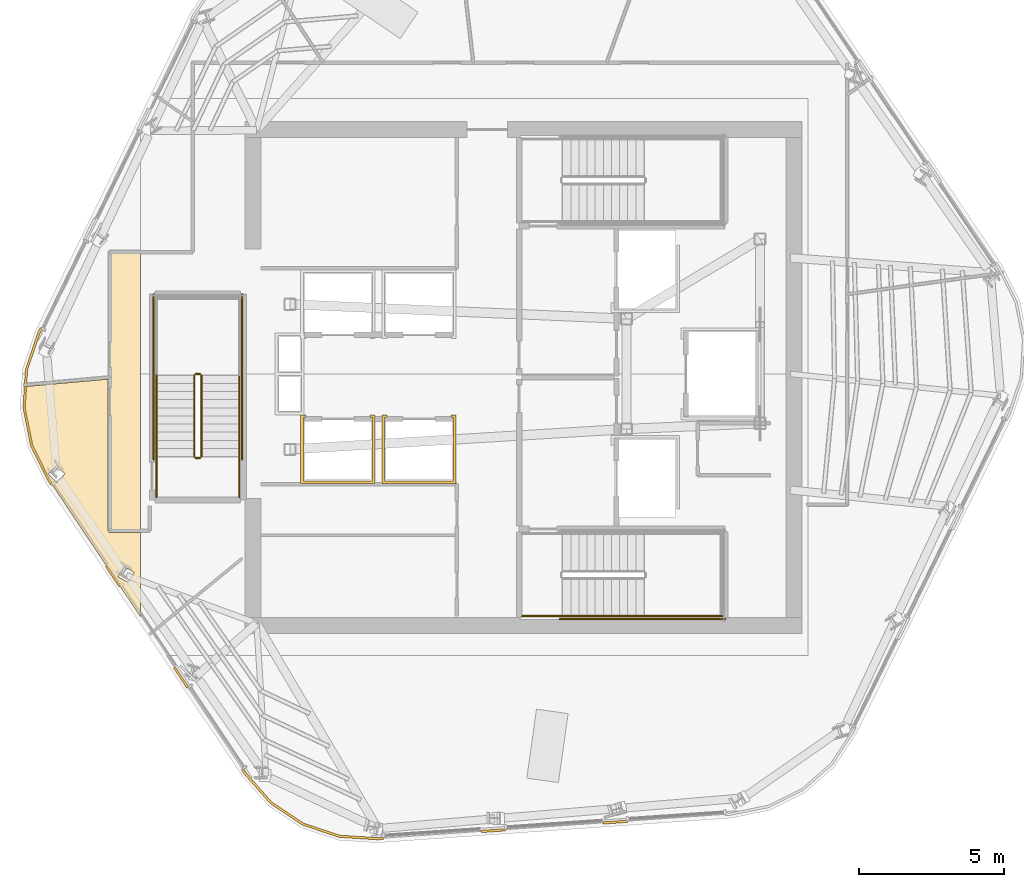
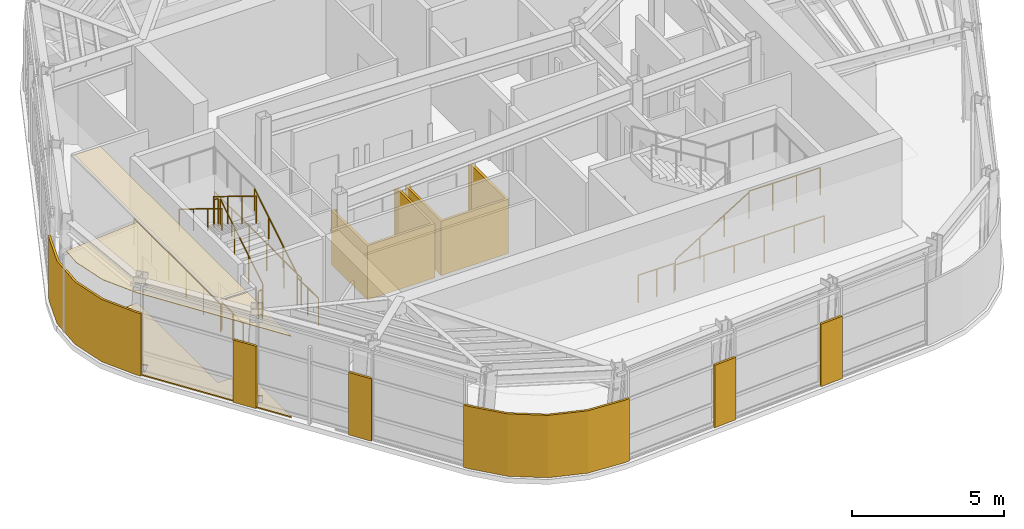
# One storey, part 8 of 14: 14 railings, 11 coverings.
"""IFC4 building model written with IfcOpenShell, lengths in metres."""

import ifcopenshell
import ifcopenshell.guid

model = None  # the IFC model being written
_history = None  # IfcOwnerHistory: only IFC2X3 demands one
_inside = {}  # id of a spatial element -> (the spatial element, [elements in it])
_under = {}  # id of a project, library or spatial element -> (it, [spatial elements below it])
_declared = {}  # id of a project -> (the project, [libraries it declares])
_typed = {}  # id of a type object -> (the type object, [elements of that type])
_made_of = {}  # id of a material, layer set ... -> (it, [elements and type objects made of it])


def new_model(schema):
    """Start an empty IFC model of exactly this schema.

    Asked for "IFC4X3", IfcOpenShell would pick the latest addendum, in which some entities
    have other attributes; the version numbers below select the first issue.
    IFC2X3 requires an IfcOwnerHistory on every rooted entity: one is made here for all.
    """
    global model, _history
    if schema == "IFC4X3":
        model = ifcopenshell.file(schema_version=(4, 3, 0, 0))
    else:
        model = ifcopenshell.file(schema=schema)
    _inside.clear()
    _under.clear()
    _declared.clear()
    _typed.clear()
    _made_of.clear()
    _history = None
    if model.schema == "IFC2X3":
        org = make("IfcOrganization", Name="unknown")
        user = make(
            "IfcPersonAndOrganization",
            ThePerson=make("IfcPerson", FamilyName="unknown"),
            TheOrganization=org,
        )
        app = make(
            "IfcApplication",
            ApplicationDeveloper=org,
            Version="unknown",
            ApplicationFullName="unknown",
            ApplicationIdentifier="unknown",
        )
        _history = make(
            "IfcOwnerHistory",
            OwningUser=user,
            OwningApplication=app,
            ChangeAction="ADDED",
            CreationDate=0,
        )
    return model


def make(cls, **values):
    """One entity of the class cls with the attributes given. An attribute that is None is left unset."""
    return model.create_entity(
        cls, **{name: value for name, value in values.items() if value is not None}
    )


def rooted(cls, **values):
    """An entity with a GlobalId (a new one), such as an element, a storey or a relation."""
    return make(cls, GlobalId=ifcopenshell.guid.new(), OwnerHistory=_history, **values)


def si_unit(unit_type, name, prefix=None):
    """IfcSIUnit, for example si_unit("LENGTHUNIT", "METRE", prefix="MILLI")."""
    return make("IfcSIUnit", UnitType=unit_type, Prefix=prefix, Name=name)


def assignment(units):
    """IfcUnitAssignment: the units of a project."""
    return None if units is None else make("IfcUnitAssignment", Units=units)


def point(xyz):
    """IfcCartesianPoint."""
    return None if xyz is None else make("IfcCartesianPoint", Coordinates=xyz)


def direction(xyz):
    """IfcDirection."""
    return None if xyz is None else make("IfcDirection", DirectionRatios=xyz)


def frame(location, z_axis=None, x_axis=None):
    """IfcAxis2Placement3D, a coordinate frame: its origin and axes. An axis left out is left unset."""
    return make(
        "IfcAxis2Placement3D",
        Location=point(location),
        Axis=direction(z_axis),
        RefDirection=direction(x_axis),
    )


def frame_2d(location, x_axis=None):
    """IfcAxis2Placement2D, a coordinate frame in the plane: its origin and x axis."""
    return make(
        "IfcAxis2Placement2D", Location=point(location), RefDirection=direction(x_axis)
    )


def origin():
    """The frame at (0, 0, 0) with its axes left unset."""
    return frame((0.0, 0.0, 0.0))


def origin_2d():
    """The frame at (0, 0) in the plane with its x axis left unset."""
    return frame_2d((0.0, 0.0))


def place(relative_to, where):
    """IfcLocalPlacement: puts the frame where relative to a parent placement (None: the world)."""
    return make(
        "IfcLocalPlacement", PlacementRelTo=relative_to, RelativePlacement=where
    )


def context(
    kind, dimensions, precision=None, world=None, true_north=None, identifier=None
):
    """IfcGeometricRepresentationContext, for example the 3D "Model" context."""
    return make(
        "IfcGeometricRepresentationContext",
        ContextIdentifier=identifier,
        ContextType=kind,
        CoordinateSpaceDimension=dimensions,
        Precision=precision,
        WorldCoordinateSystem=world,
        TrueNorth=true_north,
    )


def subcontext(parent, identifier, kind, view, scale=None):
    """IfcGeometricRepresentationSubContext, for example "Body" below "Model"."""
    return make(
        "IfcGeometricRepresentationSubContext",
        ContextIdentifier=identifier,
        ContextType=kind,
        ParentContext=parent,
        TargetScale=scale,
        TargetView=view,
    )


def project(units=None, contexts=None):
    """IfcProject with its units and contexts."""
    return rooted(
        "IfcProject",
        Name="project",
        RepresentationContexts=contexts,
        UnitsInContext=assignment(units),
    )


def spatial(cls, under=None, at=None, **own):
    """A site, building, storey or space (cls), placed at a placement, below another one or the project."""
    s = rooted(cls, ObjectPlacement=at, **own)
    if under is not None:
        _under.setdefault(under.id(), (under, []))[1].append(s)
    return s


def polyline(points):
    """IfcPolyline through the points."""
    return make("IfcPolyline", Points=[point(p) for p in points])


def profile(cls, at=None, kind="AREA", **sizes):
    """A parametric profile (cls). Its sizes go by their IFC names, for example OverallWidth=200.0."""
    return make(cls, ProfileType=kind, Position=at, **sizes)


def circle(**sizes):
    """IfcCircleProfileDef."""
    return profile("IfcCircleProfileDef", **sizes)


def outline(outer, holes=None, kind="AREA"):
    """IfcArbitraryClosedProfileDef: a profile drawn as a closed curve; with holes, ...WithVoids."""
    if holes is None:
        return make("IfcArbitraryClosedProfileDef", ProfileType=kind, OuterCurve=outer)
    return make(
        "IfcArbitraryProfileDefWithVoids",
        ProfileType=kind,
        OuterCurve=outer,
        InnerCurves=holes,
    )


def extrude(swept, where, along, depth):
    """IfcExtrudedAreaSolid: the profile swept, set in the frame where, extruded along a direction by depth."""
    return make(
        "IfcExtrudedAreaSolid",
        SweptArea=swept,
        Position=where,
        ExtrudedDirection=direction(along),
        Depth=depth,
    )


def shape(context_of_items, identifier, shape_type, items):
    """IfcShapeRepresentation: the items that make up one representation, for example the "Body"."""
    return make(
        "IfcShapeRepresentation",
        ContextOfItems=context_of_items,
        RepresentationIdentifier=identifier,
        RepresentationType=shape_type,
        Items=items,
    )


def material(Name=None, Category=None):
    """IfcMaterial."""
    return make("IfcMaterial", Name=Name, Category=Category)


def layer(
    of_material, thickness, ventilated=None, Name=None, Category=None, Priority=None
):
    """IfcMaterialLayer: one layer of a wall or slab, of a material (None: an air gap)."""
    return make(
        "IfcMaterialLayer",
        Material=of_material,
        LayerThickness=thickness,
        IsVentilated=ventilated,
        Name=Name,
        Category=Category,
        Priority=Priority,
    )


def layer_set(layers, Name=None):
    """IfcMaterialLayerSet."""
    return make("IfcMaterialLayerSet", MaterialLayers=layers, LayerSetName=Name)


def made_of(thing, what):
    """Note that an element or type object is made of a material, layer set ...; save() writes the relation."""
    if what is not None:
        _made_of.setdefault(what.id(), (what, []))[1].append(thing)
    return thing


def type_object(cls, material=None, **own):
    """A type object (cls), such as IfcWallType, which elements share."""
    return made_of(rooted(cls, **own), material)


def element(
    cls,
    number,
    at=None,
    inside=None,
    cuts=None,
    type_object=None,
    material=None,
    context=None,
    identifier="Body",
    shape_type=None,
    held_by="IfcProductDefinitionShape",
    body=None,
    shapes=None,
    **own,
):
    """One element of the class cls, such as IfcWall. Its Tag is "e" and its number.

    at: its placement. inside: the storey or other place that contains it. cuts: it is an
    opening in that element (IfcRelVoidsElement). A single representation is given by context,
    identifier, shape_type and body (its items); several are given by shapes. held_by: the class
    of the entity that holds the representations. save() writes the other relations.
    """
    e = rooted(cls, Tag="e%d" % number, ObjectPlacement=at, **own)
    if body is not None:
        shapes = [shape(context, identifier, shape_type, body)]
    if shapes is not None:
        e.Representation = make(held_by, Representations=shapes)
    if inside is not None:
        _inside.setdefault(inside.id(), (inside, []))[1].append(e)
    if cuts is not None:
        rooted(
            "IfcRelVoidsElement", RelatingBuildingElement=cuts, RelatedOpeningElement=e
        )
    if type_object is not None:
        _typed.setdefault(type_object.id(), (type_object, []))[1].append(e)
    return made_of(e, material)


def aggregate(whole, parts):
    """IfcRelAggregates: a whole, such as a stair, and the parts it consists of."""
    return rooted("IfcRelAggregates", RelatingObject=whole, RelatedObjects=parts)


def save(model, path):
    """Write the relations noted so far, then the file.

    IfcRelAggregates (storeys below a building ...), IfcRelContainedInSpatialStructure (elements
    in a storey), IfcRelDefinesByType, IfcRelAssociatesMaterial and IfcRelDeclares: one each for
    every whole, place, type object, material and project.
    """
    for whole, parts in _under.values():
        aggregate(whole, parts)
    for where, things in _inside.values():
        rooted(
            "IfcRelContainedInSpatialStructure",
            RelatedElements=things,
            RelatingStructure=where,
        )
    for kind, things in _typed.values():
        rooted("IfcRelDefinesByType", RelatedObjects=things, RelatingType=kind)
    for what, things in _made_of.values():
        rooted("IfcRelAssociatesMaterial", RelatedObjects=things, RelatingMaterial=what)
    for by, libraries in _declared.values():
        rooted("IfcRelDeclares", RelatingContext=by, RelatedDefinitions=libraries)
    model.write(path)


model = new_model("IFC4")

# Units and contexts
model_context = context("Model", 3, precision=1e-05, world=origin(), true_north=direction((0.0, 1.0)))
body_context = subcontext(model_context, "Body", "Model", "MODEL_VIEW")
ifc_project = project(units=[si_unit("LENGTHUNIT", "METRE"), si_unit("AREAUNIT", "SQUARE_METRE"), si_unit("VOLUMEUNIT", "CUBIC_METRE"), si_unit("PLANEANGLEUNIT", "RADIAN"), si_unit("MASSUNIT", "GRAM", prefix="KILO")], contexts=[model_context])

# Site, building, storey
site_placement = place(None, origin())
site = spatial("IfcSite", under=ifc_project, at=site_placement, CompositionType="ELEMENT")
building_placement = place(site_placement, origin())
building = spatial("IfcBuilding", under=site, at=building_placement, Name="Valkerne Bourse Tower", CompositionType="ELEMENT")
storey_placement = place(building_placement, frame((0.0, 0.0, 300.199951171875)))
storey = spatial("IfcBuildingStorey", under=building, at=storey_placement, Name="L76", CompositionType="ELEMENT", Elevation=300.199951171875)

# Coverings
ifc_material_1 = material(Name="Mineral Fiber Acoustic Ceiling Tile", Category="acoustic")
ifc_layer_1 = layer(ifc_material_1, 0.02490234375)
ifc_layer_set_1 = layer_set([ifc_layer_1], Name="Mineral Fiber Acoustic Ceiling Tile")
covering_type_1 = type_object("IfcCoveringType", Name="COV-CEIL-ACT", PredefinedType="CEILING", material=ifc_layer_set_1)
covering_1_placement = place(storey_placement, frame((0.0, 0.0, 3.25)))
element("IfcCovering", 1, at=covering_1_placement, inside=storey, type_object=covering_type_1, Name="L76 Suspended Ceiling 05", PredefinedType="CEILING", context=body_context, shape_type="SweptSolid", body=[
    extrude(outline(polyline([(29.589599609375, 25.82666015625), (29.635986328125, 26.5654296875), (32.48095703125, 26.81884765625), (32.48095703125, 21.599365234375), (32.49462890625, 21.55859375), (32.52001953125, 21.537841796875), (32.549560546875, 21.531005859375), (33.60009765625, 21.531005859375), (33.60009765625, 18.62548828125), (30.44140625, 23.342529296875), (29.850341796875, 24.533203125), (29.589599609375, 25.82666015625)]), holes=[polyline([(33.380615234375, 20.162109375), (33.025146484375, 20.36376953125), (32.82373046875, 20.0107421875), (32.82470703125, 20.0087890625), (33.18017578125, 19.806884765625), (33.381591796875, 20.159912109375), (33.380615234375, 20.162109375)]), polyline([(30.99462890625, 23.552978515625), (30.701904296875, 23.83837890625), (30.417724609375, 23.5478515625), (30.418212890625, 23.54541015625), (30.7109375, 23.26025390625), (30.9951171875, 23.55078125), (30.99462890625, 23.552978515625)])]), origin(), (0.0, 0.0, 1.0), 0.025146484375),
])
ifc_material_2 = material(Name="Bronze Anodised Aluminium AA 6063-T6", Category="aluminium")
ifc_layer_2 = layer(ifc_material_2, 0.030029296875)
ifc_layer_set_2 = layer_set([ifc_layer_2], Name="Bronze Anodised Aluminium AA 6063-T6")
covering_type_2 = type_object("IfcCoveringType", Name="COV-CEIL-METAL", PredefinedType="CEILING", material=ifc_layer_set_2)
covering_2_placement = place(storey_placement, frame((0.0, 0.0, 3.25)))
element("IfcCovering", 2, at=covering_2_placement, inside=storey, type_object=covering_type_2, Name="L76 Suspended Ceiling 02", PredefinedType="CEILING", context=body_context, shape_type="SweptSolid", body=[
    extrude(outline(polyline([(32.553955078125, 21.60400390625), (32.553955078125, 31.196044921875), (33.60009765625, 31.196044921875), (33.60009765625, 21.60400390625), (32.553955078125, 21.60400390625)])), origin(), (0.0, 0.0, 1.0), 0.025146484375),
])
ifc_layer_3 = layer(ifc_material_2, 0.06005859375)
ifc_layer_set_3 = layer_set([ifc_layer_3], Name="Bronze Anodised Aluminium AA 6063-T6")
covering_type_3 = type_object("IfcCoveringType", Name="COV-CRN-ALUM", PredefinedType="CLADDING", material=ifc_layer_set_3)
covering_3_placement = place(storey_placement, origin())
element("IfcCovering", 3, at=covering_3_placement, inside=storey, type_object=covering_type_3, Name="L76 Wind-Shaped Corner Aluminium Cladding 05", PredefinedType="CLADDING", context=body_context, shape_type="SweptSolid", body=[
    extrude(outline(polyline([(49.5478515625, 11.48193359375), (49.54248046875, 11.561767578125), (50.38037109375, 11.620361328125), (50.385986328125, 11.54052734375), (49.5478515625, 11.48193359375)])), origin(), (0.0, 0.0, 1.0), 2.5),
])
covering_4_placement = place(storey_placement, origin())
element("IfcCovering", 4, at=covering_4_placement, inside=storey, type_object=covering_type_3, Name="L76 Wind-Shaped Corner Aluminium Cladding 06", PredefinedType="CLADDING", context=body_context, shape_type="SweptSolid", body=[
    extrude(outline(polyline([(45.345947265625, 11.188720703125), (45.340576171875, 11.268310546875), (46.1787109375, 11.326904296875), (46.18408203125, 11.2470703125), (45.345947265625, 11.188720703125)])), origin(), (0.0, 0.0, 1.0), 2.5),
])
covering_5_placement = place(storey_placement, origin())
element("IfcCovering", 5, at=covering_5_placement, inside=storey, type_object=covering_type_3, Name="L76 Wind-Shaped Corner Aluminium Cladding 07", PredefinedType="CLADDING", context=body_context, shape_type="SweptSolid", body=[
    extrude(outline(polyline([(41.77783203125, 10.939453125), (40.442626953125, 11.0234375), (39.18115234375, 11.447998046875), (38.072509765625, 12.1845703125), (37.187744140625, 13.18798828125), (37.07373046875, 13.3583984375), (37.14013671875, 13.403076171875), (37.251220703125, 13.237060546875), (38.12548828125, 12.245361328125), (39.216796875, 11.5205078125), (40.458251953125, 11.1025390625), (41.777587890625, 11.01953125), (41.976806640625, 11.033447265625), (41.982421875, 10.95361328125), (41.77783203125, 10.939453125)])), origin(), (0.0, 0.0, 1.0), 2.5),
])
covering_6_placement = place(storey_placement, origin())
element("IfcCovering", 6, at=covering_6_placement, inside=storey, type_object=covering_type_3, Name="L76 Wind-Shaped Corner Aluminium Cladding 08", PredefinedType="CLADDING", context=body_context, shape_type="SweptSolid", body=[
    extrude(outline(polyline([(34.730224609375, 16.8583984375), (34.796630859375, 16.90283203125), (35.263916015625, 16.204833984375), (35.197509765625, 16.160400390625), (34.730224609375, 16.8583984375)])), origin(), (0.0, 0.0, 1.0), 2.5),
])
covering_7_placement = place(storey_placement, origin())
element("IfcCovering", 7, at=covering_7_placement, inside=storey, type_object=covering_type_3, Name="L76 Wind-Shaped Corner Aluminium Cladding 09", PredefinedType="CLADDING", context=body_context, shape_type="SweptSolid", body=[
    extrude(outline(polyline([(32.38671875, 20.358154296875), (32.453125, 20.40283203125), (32.920654296875, 19.704833984375), (32.854248046875, 19.66015625), (32.38671875, 20.358154296875)])), origin(), (0.0, 0.0, 1.0), 2.5),
])
covering_8_placement = place(storey_placement, origin())
element("IfcCovering", 8, at=covering_8_placement, inside=storey, type_object=covering_type_3, Name="L76 Wind-Shaped Corner Aluminium Cladding 10", PredefinedType="CLADDING", context=body_context, shape_type="SweptSolid", body=[
    extrude(outline(polyline([(30.4033203125, 23.320556640625), (29.808349609375, 24.518798828125), (29.54541015625, 25.82373046875), (29.62890625, 27.152099609375), (30.0556640625, 28.420166015625), (30.140380859375, 28.59375), (30.212158203125, 28.55859375), (30.1298828125, 28.389892578125), (29.708251953125, 27.13671875), (29.625732421875, 25.8291015625), (29.884765625, 24.544921875), (30.47265625, 23.360595703125), (30.5771484375, 23.20458984375), (30.5107421875, 23.16015625), (30.4033203125, 23.320556640625)])), origin(), (0.0, 0.0, 1.0), 2.5),
])
ifc_material_3 = material(Name="Galvanised Painted Steel", Category="steel")
ifc_layer_4 = layer(ifc_material_3, 0.044921875)
ifc_layer_set_4 = layer_set([ifc_layer_4], Name="Galvanised Painted Steel")
covering_type_4 = type_object("IfcCoveringType", Name="COV-FLR-RAF", PredefinedType="FLOORING", material=ifc_layer_set_4)
covering_9_placement = place(storey_placement, origin())
element("IfcCovering", 9, at=covering_9_placement, inside=storey, type_object=covering_type_4, Name="L76 Floor Finish 05", PredefinedType="FLOORING", context=body_context, shape_type="SweptSolid", body=[
    extrude(outline(polyline([(29.589599609375, 25.82666015625), (29.635986328125, 26.5654296875), (32.48095703125, 26.81884765625), (32.48095703125, 21.599365234375), (32.49462890625, 21.55859375), (32.52001953125, 21.537841796875), (32.549560546875, 21.531005859375), (33.60009765625, 21.531005859375), (33.60009765625, 18.62548828125), (30.44140625, 23.342529296875), (29.850341796875, 24.533203125), (29.589599609375, 25.82666015625)]), holes=[polyline([(33.380615234375, 20.162109375), (33.025146484375, 20.36376953125), (32.82373046875, 20.0107421875), (32.82470703125, 20.0087890625), (33.18017578125, 19.806884765625), (33.381591796875, 20.159912109375), (33.380615234375, 20.162109375)]), polyline([(30.99462890625, 23.552978515625), (30.701904296875, 23.83837890625), (30.417724609375, 23.5478515625), (30.418212890625, 23.54541015625), (30.7109375, 23.26025390625), (30.9951171875, 23.55078125), (30.99462890625, 23.552978515625)])]), origin(), (0.0, 0.0, 1.0), 0.045166015625),
])
ifc_material_4 = material(Name="Gypsum Shaftwall Liner Board", Category="gypsum")
ifc_layer_5 = layer(ifc_material_4, 0.080078125)
ifc_layer_set_5 = layer_set([ifc_layer_5], Name="Gypsum Shaftwall Liner Board")
covering_type_5 = type_object("IfcCoveringType", Name="COV-SHF-CLAD", PredefinedType="CLADDING", material=ifc_layer_set_5)
covering_10_placement = place(storey_placement, origin())
element("IfcCovering", 10, at=covering_10_placement, inside=storey, type_object=covering_type_5, Name="L76 Hoistway & Riser Shaftwall Liner 02", PredefinedType="CLADDING", context=body_context, shape_type="SweptSolid", body=[
    extrude(outline(polyline([(39.29931640625, 25.580078125), (39.28857421875, 25.537841796875), (39.2822265625, 25.494140625), (39.281982421875, 25.489990234375), (39.2099609375, 25.489990234375), (39.2099609375, 23.31005859375), (41.590087890625, 23.31005859375), (41.590087890625, 25.489990234375), (41.51806640625, 25.489990234375), (41.517822265625, 25.494140625), (41.511474609375, 25.537841796875), (41.500732421875, 25.580078125), (41.679931640625, 25.580078125), (41.679931640625, 23.219970703125), (39.1201171875, 23.219970703125), (39.1201171875, 25.580078125), (39.29931640625, 25.580078125)])), origin(), (0.0, 0.0, 1.0), 2.179931640625),
])
covering_11_placement = place(storey_placement, origin())
element("IfcCovering", 11, at=covering_11_placement, inside=storey, type_object=covering_type_5, Name="L76 Hoistway & Riser Shaftwall Liner 03", PredefinedType="CLADDING", context=body_context, shape_type="SweptSolid", body=[
    extrude(outline(polyline([(42.09912109375, 25.580078125), (42.088623046875, 25.537841796875), (42.082275390625, 25.494140625), (42.08203125, 25.489990234375), (42.010009765625, 25.489990234375), (42.010009765625, 23.31005859375), (44.389892578125, 23.31005859375), (44.389892578125, 25.489990234375), (44.318115234375, 25.489990234375), (44.31787109375, 25.494140625), (44.311279296875, 25.537841796875), (44.30078125, 25.580078125), (44.47998046875, 25.580078125), (44.47998046875, 23.219970703125), (41.919921875, 23.219970703125), (41.919921875, 25.580078125), (42.09912109375, 25.580078125)])), origin(), (0.0, 0.0, 1.0), 2.179931640625),
])

# Railings
railing_type_1 = type_object("IfcRailingType", Name="RLG-ST-GUARD-1120", PredefinedType="GUARDRAIL", material=ifc_material_3)
railing_1_placement = place(storey_placement, frame((50.949951171875, 18.64990234375, 1.900146484375)))
element("IfcRailing", 12, at=railing_1_placement, inside=storey, type_object=railing_type_1, Name="L76 ST-1 stair guard 3", PredefinedType="GUARDRAIL", context=body_context, shape_type="SweptSolid", body=[
    extrude(circle(Radius=0.02392578125, at=origin_2d()), frame((0.0, 0.0, 1.09619140625), z_axis=(1.0, 0.0, 0.0), x_axis=(0.0, 1.0, 0.0)), (0.0, 0.0, 1.0), 2.699951171875),
    extrude(circle(Radius=0.02099609375, at=origin_2d()), origin(), (0.0, 0.0, 1.0), 1.072021484375),
    extrude(circle(Radius=0.02099609375, at=origin_2d()), frame((0.89990234375, 0.0, 0.0)), (0.0, 0.0, 1.0), 1.072021484375),
    extrude(circle(Radius=0.02099609375, at=origin_2d()), frame((1.800048828125, 0.0, 0.0)), (0.0, 0.0, 1.0), 1.072021484375),
    extrude(circle(Radius=0.02099609375, at=origin_2d()), frame((2.699951171875, 0.0, 0.0)), (0.0, 0.0, 1.0), 1.072021484375),
])
railing_2_placement = place(storey_placement, frame((46.75, 18.64990234375, 0.0)))
element("IfcRailing", 13, at=railing_2_placement, inside=storey, type_object=railing_type_1, Name="L76 ST-1 stair guard 8", PredefinedType="GUARDRAIL", context=body_context, shape_type="SweptSolid", body=[
    extrude(circle(Radius=0.02392578125, at=origin_2d()), frame((0.0, 0.0, 1.09619140625), z_axis=(1.0, 0.0, 0.0), x_axis=(0.0, 1.0, 0.0)), (0.0, 0.0, 1.0), 1.39990234375),
    extrude(circle(Radius=0.02099609375, at=origin_2d()), origin(), (0.0, 0.0, 1.0), 1.072021484375),
    extrude(circle(Radius=0.02099609375, at=origin_2d()), frame((0.699951171875, 0.0, 0.0)), (0.0, 0.0, 1.0), 1.072021484375),
    extrude(circle(Radius=0.02099609375, at=origin_2d()), frame((1.39990234375, 0.0, 0.0)), (0.0, 0.0, 1.0), 1.072021484375),
])
railing_3_placement = place(storey_placement, frame((48.050048828125, 18.550048828125, 0.0)))
element("IfcRailing", 14, at=railing_3_placement, inside=storey, type_object=railing_type_1, Name="L76 ST-1 stair guard 10", PredefinedType="GUARDRAIL", context=body_context, shape_type="SweptSolid", body=[
    extrude(circle(Radius=0.02392578125, at=origin_2d()), frame((0.0, 0.0, 1.09619140625), z_axis=(1.0, 0.0, 0.0), x_axis=(0.0, 1.0, 0.0)), (0.0, 0.0, 1.0), 5.699951171875),
    extrude(circle(Radius=0.02099609375, at=origin_2d()), origin(), (0.0, 0.0, 1.0), 1.072021484375),
    extrude(circle(Radius=0.02099609375, at=origin_2d()), frame((1.139892578125, 0.0, 0.0)), (0.0, 0.0, 1.0), 1.072021484375),
    extrude(circle(Radius=0.02099609375, at=origin_2d()), frame((2.280029296875, 0.0, 0.0)), (0.0, 0.0, 1.0), 1.072021484375),
    extrude(circle(Radius=0.02099609375, at=origin_2d()), frame((3.419921875, 0.0, 0.0)), (0.0, 0.0, 1.0), 1.072021484375),
    extrude(circle(Radius=0.02099609375, at=origin_2d()), frame((4.56005859375, 0.0, 0.0)), (0.0, 0.0, 1.0), 1.072021484375),
    extrude(circle(Radius=0.02099609375, at=origin_2d()), frame((5.699951171875, 0.0, 0.0)), (0.0, 0.0, 1.0), 1.072021484375),
])
railing_4_placement = place(storey_placement, frame((35.699951171875, 24.14990234375, 0.1728515625)))
element("IfcRailing", 15, at=railing_4_placement, inside=storey, type_object=railing_type_1, Name="L76 ST-3 stair guard 1", PredefinedType="GUARDRAIL", context=body_context, shape_type="SweptSolid", body=[
    extrude(circle(Radius=0.02392578125, at=origin_2d()), frame((0.0, 0.0, 1.09619140625), z_axis=(0.0, 0.851089632645, 0.525020415988), x_axis=(-1.0, 0.0, 0.0)), (0.0, 0.0, 1.0), 3.2900390625),
    extrude(circle(Radius=0.02099609375, at=origin_2d()), origin(), (0.0, 0.0, 1.0), 1.072021484375),
    extrude(circle(Radius=0.02099609375, at=origin_2d()), frame((0.0, 0.933349609375, 0.57568359375)), (0.0, 0.0, 1.0), 1.072021484375),
    extrude(circle(Radius=0.02099609375, at=origin_2d()), frame((0.0, 1.86669921875, 1.151611328125)), (0.0, 0.0, 1.0), 1.072021484375),
    extrude(circle(Radius=0.02099609375, at=origin_2d()), frame((0.0, 2.800048828125, 1.727294921875)), (0.0, 0.0, 1.0), 1.072021484375),
])
railing_5_placement = place(storey_placement, frame((35.64990234375, 27.0, 1.900146484375)))
element("IfcRailing", 16, at=railing_5_placement, inside=storey, type_object=railing_type_1, Name="L76 ST-3 stair guard 2", PredefinedType="GUARDRAIL", context=body_context, shape_type="SweptSolid", body=[
    extrude(circle(Radius=0.02392578125, at=origin_2d()), frame((0.0, 0.0, 1.09619140625), z_axis=(-1.0, 0.0, 0.0), x_axis=(0.0, -1.0, 0.0)), (0.0, 0.0, 1.0), 0.14990234375),
    extrude(circle(Radius=0.02099609375, at=origin_2d()), origin(), (0.0, 0.0, 1.0), 1.072021484375),
    extrude(circle(Radius=0.02099609375, at=origin_2d()), frame((-0.14990234375, 0.0, 0.0)), (0.0, 0.0, 1.0), 1.072021484375),
])
railing_6_placement = place(storey_placement, frame((35.449951171875, 26.949951171875, 2.07275390625)))
element("IfcRailing", 17, at=railing_6_placement, inside=storey, type_object=railing_type_1, Name="L76 ST-3 stair guard 6", PredefinedType="GUARDRAIL", context=body_context, shape_type="SweptSolid", body=[
    extrude(circle(Radius=0.02392578125, at=origin_2d()), frame((0.0, 0.0, 1.09619140625), z_axis=(0.0, -0.851089632645, 0.525020415988), x_axis=(1.0, 0.0, 0.0)), (0.0, 0.0, 1.0), 3.2900390625),
    extrude(circle(Radius=0.02099609375, at=origin_2d()), origin(), (0.0, 0.0, 1.0), 1.072021484375),
    extrude(circle(Radius=0.02099609375, at=origin_2d()), frame((0.0, -0.933349609375, 0.57568359375)), (0.0, 0.0, 1.0), 1.072021484375),
    extrude(circle(Radius=0.02099609375, at=origin_2d()), frame((0.0, -1.86669921875, 1.151611328125)), (0.0, 0.0, 1.0), 1.072021484375),
    extrude(circle(Radius=0.02099609375, at=origin_2d()), frame((0.0, -2.800048828125, 1.727294921875)), (0.0, 0.0, 1.0), 1.072021484375),
])
railing_7_placement = place(storey_placement, frame((35.64990234375, 24.10009765625, 0.0)))
element("IfcRailing", 18, at=railing_7_placement, inside=storey, type_object=railing_type_1, Name="L76 ST-3 stair guard 7", PredefinedType="GUARDRAIL", context=body_context, shape_type="SweptSolid", body=[
    extrude(circle(Radius=0.02392578125, at=origin_2d()), frame((0.0, 0.0, 1.09619140625), z_axis=(-1.0, 0.0, 0.0), x_axis=(0.0, -1.0, 0.0)), (0.0, 0.0, 1.0), 0.14990234375),
    extrude(circle(Radius=0.02099609375, at=origin_2d()), origin(), (0.0, 0.0, 1.0), 1.072021484375),
    extrude(circle(Radius=0.02099609375, at=origin_2d()), frame((-0.14990234375, 0.0, 0.0)), (0.0, 0.0, 1.0), 1.072021484375),
])
for number, where, name in (
    (19, (37.0, 22.75, 0.0), "L76 ST-3 stair guard 8"),
    (20, (34.14990234375, 22.75, 0.0), "L76 ST-3 stair guard 9"),
):
    element("IfcRailing", number, at=place(storey_placement, frame(where)), inside=storey, type_object=railing_type_1, Name=name, PredefinedType="GUARDRAIL", context=body_context, shape_type="SweptSolid", body=[
        extrude(circle(Radius=0.02392578125, at=origin_2d()), frame((0.0, 0.0, 1.09619140625), z_axis=(0.0, 1.0, 0.0), x_axis=(-1.0, 0.0, 0.0)), (0.0, 0.0, 1.0), 1.39990234375),
        extrude(circle(Radius=0.02099609375, at=origin_2d()), origin(), (0.0, 0.0, 1.0), 1.072021484375),
        extrude(circle(Radius=0.02099609375, at=origin_2d()), frame((0.0, 0.699951171875, 0.0)), (0.0, 0.0, 1.0), 1.072021484375),
        extrude(circle(Radius=0.02099609375, at=origin_2d()), frame((0.0, 1.39990234375, 0.0)), (0.0, 0.0, 1.0), 1.072021484375),
    ])
for number, where, name in (
    (21, (37.10009765625, 24.050048828125, 0.0), "L76 ST-3 stair guard 10"),
    (22, (34.050048828125, 24.050048828125, 0.0), "L76 ST-3 stair guard 11"),
):
    element("IfcRailing", number, at=place(storey_placement, frame(where)), inside=storey, type_object=railing_type_1, Name=name, PredefinedType="GUARDRAIL", context=body_context, shape_type="SweptSolid", body=[
        extrude(circle(Radius=0.02392578125, at=origin_2d()), frame((0.0, 0.0, 1.09619140625), z_axis=(0.0, 1.0, 0.0), x_axis=(-1.0, 0.0, 0.0)), (0.0, 0.0, 1.0), 5.699951171875),
        extrude(circle(Radius=0.02099609375, at=origin_2d()), origin(), (0.0, 0.0, 1.0), 1.072021484375),
        extrude(circle(Radius=0.02099609375, at=origin_2d()), frame((0.0, 1.139892578125, 0.0)), (0.0, 0.0, 1.0), 1.072021484375),
        extrude(circle(Radius=0.02099609375, at=origin_2d()), frame((0.0, 2.280029296875, 0.0)), (0.0, 0.0, 1.0), 1.072021484375),
        extrude(circle(Radius=0.02099609375, at=origin_2d()), frame((0.0, 3.419921875, 0.0)), (0.0, 0.0, 1.0), 1.072021484375),
        extrude(circle(Radius=0.02099609375, at=origin_2d()), frame((0.0, 4.56005859375, 0.0)), (0.0, 0.0, 1.0), 1.072021484375),
        extrude(circle(Radius=0.02099609375, at=origin_2d()), frame((0.0, 5.699951171875, 0.0)), (0.0, 0.0, 1.0), 1.072021484375),
    ])
ifc_material_5 = material(Name="Stainless Steel AISI 316", Category="steel")
railing_type_2 = type_object("IfcRailingType", Name="RLG-ST-HANDRAIL-900", PredefinedType="HANDRAIL", material=ifc_material_5)
railing_8_placement = place(storey_placement, frame((48.14990234375, 18.64990234375, 0.345458984375)))
element("IfcRailing", 23, at=railing_8_placement, inside=storey, type_object=railing_type_2, Name="L76 ST-1 stair handrail 1", PredefinedType="HANDRAIL", context=body_context, shape_type="SweptSolid", body=[
    extrude(circle(Radius=0.02392578125, at=origin_2d()), frame((0.0, 0.0, 0.8759765625), z_axis=(0.851089632645, 0.0, 0.525020415988), x_axis=(0.0, 1.0, 0.0)), (0.0, 0.0, 1.0), 3.2900390625),
    extrude(circle(Radius=0.02099609375, at=origin_2d()), origin(), (0.0, 0.0, 1.0), 0.851806640625),
    extrude(circle(Radius=0.02099609375, at=origin_2d()), frame((0.933349609375, 0.0, 0.57568359375)), (0.0, 0.0, 1.0), 0.851806640625),
    extrude(circle(Radius=0.02099609375, at=origin_2d()), frame((1.86669921875, 0.0, 1.151611328125)), (0.0, 0.0, 1.0), 0.851806640625),
    extrude(circle(Radius=0.02099609375, at=origin_2d()), frame((2.800048828125, 0.0, 1.727294921875)), (0.0, 0.0, 1.0), 0.851806640625),
])
railing_9_placement = place(storey_placement, frame((37.0, 24.14990234375, 0.345458984375)))
element("IfcRailing", 24, at=railing_9_placement, inside=storey, type_object=railing_type_2, Name="L76 ST-3 stair handrail 1", PredefinedType="HANDRAIL", context=body_context, shape_type="SweptSolid", body=[
    extrude(circle(Radius=0.02392578125, at=origin_2d()), frame((0.0, 0.0, 0.8759765625), z_axis=(0.0, 0.851089632645, 0.525020415988), x_axis=(-1.0, 0.0, 0.0)), (0.0, 0.0, 1.0), 3.2900390625),
    extrude(circle(Radius=0.02099609375, at=origin_2d()), origin(), (0.0, 0.0, 1.0), 0.851806640625),
    extrude(circle(Radius=0.02099609375, at=origin_2d()), frame((0.0, 0.933349609375, 0.57568359375)), (0.0, 0.0, 1.0), 0.851806640625),
    extrude(circle(Radius=0.02099609375, at=origin_2d()), frame((0.0, 1.86669921875, 1.151611328125)), (0.0, 0.0, 1.0), 0.851806640625),
    extrude(circle(Radius=0.02099609375, at=origin_2d()), frame((0.0, 2.800048828125, 1.727294921875)), (0.0, 0.0, 1.0), 0.851806640625),
])
railing_10_placement = place(storey_placement, frame((34.14990234375, 26.949951171875, 2.24560546875)))
element("IfcRailing", 25, at=railing_10_placement, inside=storey, type_object=railing_type_2, Name="L76 ST-3 stair handrail 2", PredefinedType="HANDRAIL", context=body_context, shape_type="SweptSolid", body=[
    extrude(circle(Radius=0.02392578125, at=origin_2d()), frame((0.0, 0.0, 0.8759765625), z_axis=(0.0, -0.851122791225, 0.524966660138), x_axis=(1.0, 0.0, 0.0)), (0.0, 0.0, 1.0), 3.289794921875),
    extrude(circle(Radius=0.02099609375, at=origin_2d()), origin(), (0.0, 0.0, 1.0), 0.851806640625),
    extrude(circle(Radius=0.02099609375, at=origin_2d()), frame((0.0, -0.933349609375, 0.57568359375)), (0.0, 0.0, 1.0), 0.851806640625),
    extrude(circle(Radius=0.02099609375, at=origin_2d()), frame((0.0, -1.86669921875, 1.1513671875)), (0.0, 0.0, 1.0), 0.851806640625),
    extrude(circle(Radius=0.02099609375, at=origin_2d()), frame((0.0, -2.800048828125, 1.72705078125)), (0.0, 0.0, 1.0), 0.851806640625),
])

save(model, "model.ifc")
